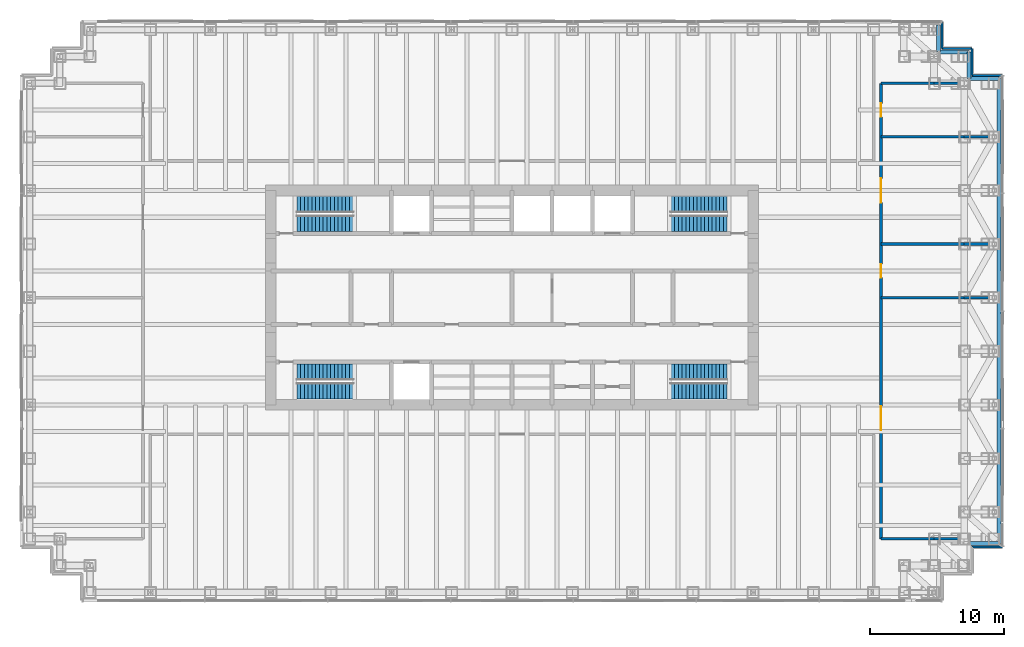
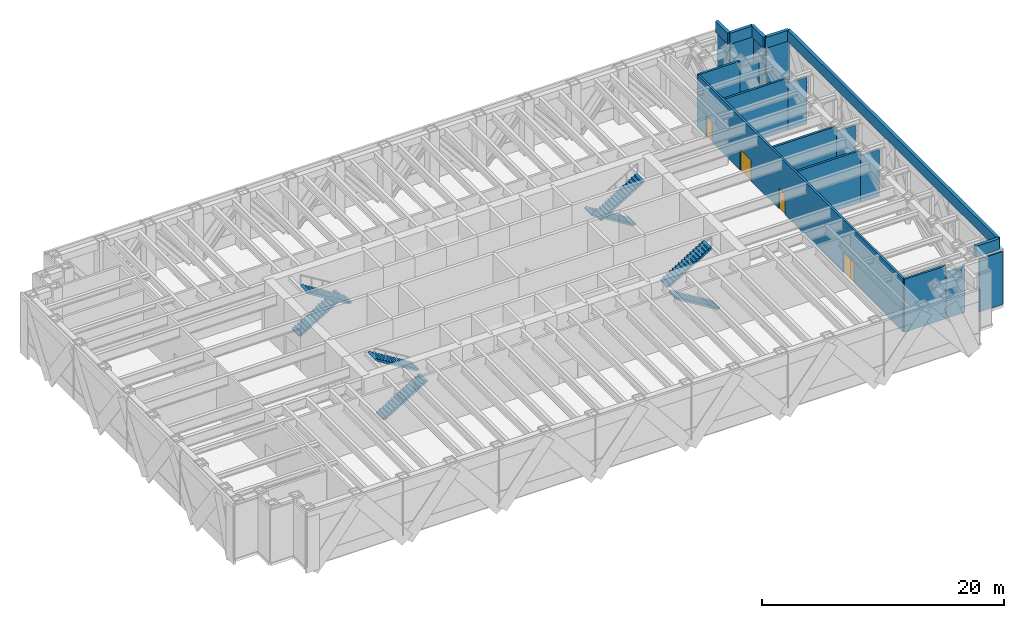
# One storey, part 16 of 17: 22 walls, 8 stair flights, 4 doors, 4 openings, 4 elements without a shape of their own.
"""IFC4 building model written with IfcOpenShell, lengths in metres."""

from ifc_helpers import new_model, si_unit, direction, frame, frame_2d, origin, place, context, subcontext, project, spatial, polyline, rectangle, outline, extrude, material, layer, layer_set, type_object, element, fill, aggregate, save


model = new_model("IFC4")

# Units and contexts
model_context = context("Model", 3, precision=1e-05, world=origin(), true_north=direction((0.0, 1.0)))
body_context = subcontext(model_context, "Body", "Model", "MODEL_VIEW")
ifc_project = project(units=[si_unit("LENGTHUNIT", "METRE"), si_unit("AREAUNIT", "SQUARE_METRE"), si_unit("VOLUMEUNIT", "CUBIC_METRE"), si_unit("PLANEANGLEUNIT", "RADIAN"), si_unit("MASSUNIT", "GRAM", prefix="KILO")], contexts=[model_context])

# Site, building, storey
site_placement = place(None, origin())
site = spatial("IfcSite", under=ifc_project, at=site_placement, CompositionType="ELEMENT")
building_placement = place(site_placement, origin())
building = spatial("IfcBuilding", under=site, at=building_placement, Name="Rheinbord Bourse Tower", CompositionType="ELEMENT")
storey_placement = place(building_placement, frame((0.0, 0.0, 265.60009765625)))
storey = spatial("IfcBuildingStorey", under=building, at=storey_placement, Name="L60", CompositionType="ELEMENT", Elevation=265.60009765625)

# Walls
ifc_material_1 = material(Name="Black metal rainscreen panel", Category="aluminium")
ifc_layer_1 = layer(ifc_material_1, 0.14990234375)
ifc_layer_set_1 = layer_set([ifc_layer_1], Name="CORNER PIER CLADDING 150")
wall_type_1 = type_object("IfcWallType", Name="CORNER PIER CLADDING 150", PredefinedType="ELEMENTEDWALL", material=ifc_layer_set_1)
for number, where, z_axis, x_axis, name in (
    (1, (70.35009765625, 5.39990234375, 0.0), (0.0, 0.0, 1.0), (1.0, 0.0, 0.0), "Corner pier cladding L60 5"),
    (2, (72.60009765625, 40.60009765625, 0.0), (0.0, 0.0, 1.0), (-1.0, 0.0, 0.0), "Corner pier cladding L60 7"),
):
    element("IfcWall", number, at=place(storey_placement, frame(where, z_axis=z_axis, x_axis=x_axis)), inside=storey, type_object=wall_type_1, Name=name, PredefinedType="ELEMENTEDWALL", context=body_context, shape_type="SweptSolid", body=[
        extrude(rectangle(XDim=2.25, YDim=0.14990234375, at=frame_2d((1.125, 0.0))), origin(), (0.0, 0.0, 1.0), 5.33984375),
    ])
wall_1_placement = place(storey_placement, frame((70.35009765625, 40.60009765625, 0.0), z_axis=(0.0, 0.0, 1.0), x_axis=(0.0, 1.0, 0.0)))
element("IfcWall", 3, at=wall_1_placement, inside=storey, type_object=wall_type_1, Name="Corner pier cladding L60 8", PredefinedType="ELEMENTEDWALL", context=body_context, shape_type="SweptSolid", body=[
    extrude(rectangle(XDim=2.0, YDim=0.14990234375, at=frame_2d((1.0, 0.0))), origin(), (0.0, 0.0, 1.0), 5.33984375),
])
wall_2_placement = place(storey_placement, frame((70.35009765625, 42.60009765625, 0.0), z_axis=(0.0, 0.0, 1.0), x_axis=(-1.0, 0.0, 0.0)))
element("IfcWall", 4, at=wall_2_placement, inside=storey, type_object=wall_type_1, Name="Corner pier cladding L60 9", PredefinedType="ELEMENTEDWALL", context=body_context, shape_type="SweptSolid", body=[
    extrude(rectangle(XDim=2.25, YDim=0.14990234375, at=frame_2d((1.125, 0.0))), origin(), (0.0, 0.0, 1.0), 5.33984375),
])
wall_3_placement = place(storey_placement, frame((68.10009765625, 42.60009765625, 0.0), z_axis=(0.0, 0.0, 1.0), x_axis=(0.0, 1.0, 0.0)))
element("IfcWall", 5, at=wall_3_placement, inside=storey, type_object=wall_type_1, Name="Corner pier cladding L60 10", PredefinedType="ELEMENTEDWALL", context=body_context, shape_type="SweptSolid", body=[
    extrude(rectangle(XDim=2.0, YDim=0.14990234375, at=frame_2d((1.0, 0.0))), origin(), (0.0, 0.0, 1.0), 5.33984375),
])
ifc_material_2 = material(Name="Concrete C30/37", Category="concrete")
ifc_layer_2 = layer(ifc_material_2, 0.300048828125)
ifc_layer_set_2 = layer_set([ifc_layer_2], Name="PARAPET 300")
wall_type_2 = type_object("IfcWallType", Name="PARAPET 300", PredefinedType="PARAPET", material=ifc_layer_set_2)
wall_4_placement = place(storey_placement, frame((70.10009765625, 5.64990234375, 5.5), z_axis=(0.0, 0.0, 1.0), x_axis=(1.0, 0.0, 0.0)))
element("IfcWall", 6, at=wall_4_placement, inside=storey, type_object=wall_type_2, Name="Setback parapet L61 4", PredefinedType="PARAPET", context=body_context, shape_type="SweptSolid", body=[
    extrude(rectangle(XDim=2.25, YDim=0.300048828125, at=frame_2d((1.125, 0.0))), origin(), (0.0, 0.0, 1.0), 1.099853515625),
])
wall_5_placement = place(storey_placement, frame((72.35009765625, 5.64990234375, 5.5), z_axis=(0.0, 0.0, 1.0), x_axis=(0.0, 1.0, 0.0)))
element("IfcWall", 7, at=wall_5_placement, inside=storey, type_object=wall_type_2, Name="Setback parapet L61 5", PredefinedType="PARAPET", context=body_context, shape_type="SweptSolid", body=[
    extrude(rectangle(XDim=34.7001953125, YDim=0.300048828125, at=frame_2d((17.35009765625, 0.0))), origin(), (0.0, 0.0, 1.0), 1.099853515625),
])
wall_6_placement = place(storey_placement, frame((72.35009765625, 40.35009765625, 5.5), z_axis=(0.0, 0.0, 1.0), x_axis=(-1.0, 0.0, 0.0)))
element("IfcWall", 8, at=wall_6_placement, inside=storey, type_object=wall_type_2, Name="Setback parapet L61 6", PredefinedType="PARAPET", context=body_context, shape_type="SweptSolid", body=[
    extrude(rectangle(XDim=2.25, YDim=0.300048828125, at=frame_2d((1.125, 0.0))), origin(), (0.0, 0.0, 1.0), 1.099853515625),
])
wall_7_placement = place(storey_placement, frame((70.10009765625, 40.35009765625, 5.5), z_axis=(0.0, 0.0, 1.0), x_axis=(0.0, 1.0, 0.0)))
element("IfcWall", 9, at=wall_7_placement, inside=storey, type_object=wall_type_2, Name="Setback parapet L61 7", PredefinedType="PARAPET", context=body_context, shape_type="SweptSolid", body=[
    extrude(rectangle(XDim=2.0, YDim=0.300048828125, at=frame_2d((1.0, 0.0))), origin(), (0.0, 0.0, 1.0), 1.099853515625),
])
wall_8_placement = place(storey_placement, frame((70.10009765625, 42.35009765625, 5.5), z_axis=(0.0, 0.0, 1.0), x_axis=(-1.0, 0.0, 0.0)))
element("IfcWall", 10, at=wall_8_placement, inside=storey, type_object=wall_type_2, Name="Setback parapet L61 8", PredefinedType="PARAPET", context=body_context, shape_type="SweptSolid", body=[
    extrude(rectangle(XDim=2.25, YDim=0.300048828125, at=frame_2d((1.125, 0.0))), origin(), (0.0, 0.0, 1.0), 1.099853515625),
])
wall_9_placement = place(storey_placement, frame((67.85009765625, 42.35009765625, 5.5), z_axis=(0.0, 0.0, 1.0), x_axis=(0.0, 1.0, 0.0)))
element("IfcWall", 11, at=wall_9_placement, inside=storey, type_object=wall_type_2, Name="Setback parapet L61 9", PredefinedType="PARAPET", context=body_context, shape_type="SweptSolid", body=[
    extrude(rectangle(XDim=2.0, YDim=0.300048828125, at=frame_2d((1.0, 0.0))), origin(), (0.0, 0.0, 1.0), 1.099853515625),
])
ifc_material_3 = material(Name="Concrete block plant room wall", Category="concrete")
ifc_layer_3 = layer(ifc_material_3, 0.199951171875)
ifc_layer_set_3 = layer_set([ifc_layer_3], Name="PLANT ROOM PARTITION 200 EI90")
wall_type_3 = type_object("IfcWallType", Name="PLANT ROOM PARTITION 200 EI90", PredefinedType="PARTITIONING", material=ifc_layer_set_3)
wall_10_placement = place(storey_placement, frame((63.550048828125, 6.0, 0.0), z_axis=(0.0, 0.0, 1.0), x_axis=(1.0, 0.0, 0.0)))
element("IfcWall", 12, at=wall_10_placement, inside=storey, type_object=wall_type_3, Name="Partition L60-02", PredefinedType="PARTITIONING", context=body_context, shape_type="SweptSolid", body=[
    extrude(rectangle(XDim=3.949951171875, YDim=0.199951171875, at=frame_2d((1.97509765625, 0.0))), origin(), (0.0, 0.0, 1.0), 5.33984375),
])
wall_11_placement = place(storey_placement, frame((67.5, 6.0, 0.0), z_axis=(0.0, 0.0, 1.0), x_axis=(1.0, 0.0, 0.0)))
element("IfcWall", 13, at=wall_11_placement, inside=storey, type_object=wall_type_3, Name="Partition L60-02b", PredefinedType="PARTITIONING", context=body_context, shape_type="SweptSolid", body=[
    extrude(rectangle(XDim=1.800048828125, YDim=0.199951171875, at=frame_2d((0.89990234375, 0.0))), origin(), (0.0, 0.0, 1.0), 4.639892578125),
])
wall_12_placement = place(storey_placement, frame((63.550048828125, 24.0, 0.0), z_axis=(0.0, 0.0, 1.0), x_axis=(1.0, 0.0, 0.0)))
element("IfcWall", 14, at=wall_12_placement, inside=storey, type_object=wall_type_3, Name="Partition L60-05", PredefinedType="PARTITIONING", context=body_context, shape_type="SweptSolid", body=[
    extrude(rectangle(XDim=6.199951171875, YDim=0.199951171875, at=frame_2d((3.10009765625, 0.0))), origin(), (0.0, 0.0, 1.0), 5.25),
])
wall_13_placement = place(storey_placement, frame((69.75, 24.0, 0.0), z_axis=(0.0, 0.0, 1.0), x_axis=(1.0, 0.0, 0.0)))
element("IfcWall", 15, at=wall_13_placement, inside=storey, type_object=wall_type_3, Name="Partition L60-05b", PredefinedType="PARTITIONING", context=body_context, shape_type="SweptSolid", body=[
    extrude(rectangle(XDim=1.800048828125, YDim=0.199951171875, at=frame_2d((0.89990234375, 0.0))), origin(), (0.0, 0.0, 1.0), 4.725830078125),
])
wall_14_placement = place(storey_placement, frame((63.550048828125, 28.0, 0.0), z_axis=(0.0, 0.0, 1.0), x_axis=(1.0, 0.0, 0.0)))
element("IfcWall", 16, at=wall_14_placement, inside=storey, type_object=wall_type_3, Name="Partition L60-06", PredefinedType="PARTITIONING", context=body_context, shape_type="SweptSolid", body=[
    extrude(rectangle(XDim=6.199951171875, YDim=0.199951171875, at=frame_2d((3.10009765625, 0.0))), origin(), (0.0, 0.0, 1.0), 5.25),
])
wall_15_placement = place(storey_placement, frame((69.75, 28.0, 0.0), z_axis=(0.0, 0.0, 1.0), x_axis=(1.0, 0.0, 0.0)))
element("IfcWall", 17, at=wall_15_placement, inside=storey, type_object=wall_type_3, Name="Partition L60-06b", PredefinedType="PARTITIONING", context=body_context, shape_type="SweptSolid", body=[
    extrude(rectangle(XDim=1.800048828125, YDim=0.199951171875, at=frame_2d((0.89990234375, 0.0))), origin(), (0.0, 0.0, 1.0), 4.725830078125),
])
wall_16_placement = place(storey_placement, frame((63.550048828125, 36.0, 0.0), z_axis=(0.0, 0.0, 1.0), x_axis=(1.0, 0.0, 0.0)))
element("IfcWall", 18, at=wall_16_placement, inside=storey, type_object=wall_type_3, Name="Partition L60-09", PredefinedType="PARTITIONING", context=body_context, shape_type="SweptSolid", body=[
    extrude(rectangle(XDim=6.199951171875, YDim=0.199951171875, at=frame_2d((3.10009765625, 0.0))), origin(), (0.0, 0.0, 1.0), 5.25),
])
wall_17_placement = place(storey_placement, frame((69.75, 36.0, 0.0), z_axis=(0.0, 0.0, 1.0), x_axis=(1.0, 0.0, 0.0)))
element("IfcWall", 19, at=wall_17_placement, inside=storey, type_object=wall_type_3, Name="Partition L60-09b", PredefinedType="PARTITIONING", context=body_context, shape_type="SweptSolid", body=[
    extrude(rectangle(XDim=1.800048828125, YDim=0.199951171875, at=frame_2d((0.89990234375, 0.0))), origin(), (0.0, 0.0, 1.0), 4.725830078125),
])
wall_18_placement = place(storey_placement, frame((63.550048828125, 40.0, 0.0), z_axis=(0.0, 0.0, 1.0), x_axis=(1.0, 0.0, 0.0)))
element("IfcWall", 20, at=wall_18_placement, inside=storey, type_object=wall_type_3, Name="Partition L60-11", PredefinedType="PARTITIONING", context=body_context, shape_type="SweptSolid", body=[
    extrude(rectangle(XDim=3.949951171875, YDim=0.199951171875, at=frame_2d((1.97509765625, 0.0))), origin(), (0.0, 0.0, 1.0), 5.33984375),
])
wall_19_placement = place(storey_placement, frame((67.5, 40.0, 0.0), z_axis=(0.0, 0.0, 1.0), x_axis=(1.0, 0.0, 0.0)))
element("IfcWall", 21, at=wall_19_placement, inside=storey, type_object=wall_type_3, Name="Partition L60-11b", PredefinedType="PARTITIONING", context=body_context, shape_type="SweptSolid", body=[
    extrude(rectangle(XDim=1.800048828125, YDim=0.199951171875, at=frame_2d((0.89990234375, 0.0))), origin(), (0.0, 0.0, 1.0), 4.639892578125),
])

# Wall, openings, doors
wall_20_placement = place(storey_placement, frame((63.550048828125, 6.0, 0.0), z_axis=(0.0, 0.0, 1.0), x_axis=(0.0, 1.0, 0.0)))
wall_20 = element("IfcWall", 22, at=wall_20_placement, inside=storey, type_object=wall_type_3, Name="Partition L60-17", PredefinedType="PARTITIONING", context=body_context, shape_type="SweptSolid", body=[
    extrude(rectangle(XDim=34.0, YDim=0.199951171875, at=frame_2d((17.0, 0.0))), origin(), (0.0, 0.0, 1.0), 5.33984375),
])
opening_1_placement = place(wall_20_placement, frame((8.10009765625, 0.0, 0.0)))
opening_1 = element("IfcOpeningElement", 23, at=opening_1_placement, cuts=wall_20, Name="Opening 60P02", PredefinedType="OPENING", context=body_context, shape_type="SweptSolid", body=[
    extrude(rectangle(XDim=1.800048828125, YDim=2.10009765625, at=frame_2d((0.89990234375, 1.050048828125))), frame((0.0, 0.10986328125, 0.0), z_axis=(0.0, -1.0, 0.0), x_axis=(1.0, 0.0, 0.0)), (0.0, 0.0, 1.0), 0.219970703125),
])
opening_2_placement = place(wall_20_placement, frame((19.5, 0.0, 0.0)))
opening_2 = element("IfcOpeningElement", 24, at=opening_2_placement, cuts=wall_20, Name="Opening 60P04", PredefinedType="OPENING", context=body_context, shape_type="SweptSolid", body=[
    extrude(rectangle(XDim=1.0, YDim=2.10009765625, at=frame_2d((0.5, 1.050048828125))), frame((0.0, 0.10986328125, 0.0), z_axis=(0.0, -1.0, 0.0), x_axis=(1.0, 0.0, 0.0)), (0.0, 0.0, 1.0), 0.219970703125),
])
opening_3_placement = place(wall_20_placement, frame((25.10009765625, 0.0, 0.0)))
opening_3 = element("IfcOpeningElement", 25, at=opening_3_placement, cuts=wall_20, Name="Opening 60P06", PredefinedType="OPENING", context=body_context, shape_type="SweptSolid", body=[
    extrude(rectangle(XDim=1.800048828125, YDim=2.10009765625, at=frame_2d((0.89990234375, 1.050048828125))), frame((0.0, 0.10986328125, 0.0), z_axis=(0.0, -1.0, 0.0), x_axis=(1.0, 0.0, 0.0)), (0.0, 0.0, 1.0), 0.219970703125),
])
opening_4_placement = place(wall_20_placement, frame((31.5, 0.0, 0.0)))
opening_4 = element("IfcOpeningElement", 26, at=opening_4_placement, cuts=wall_20, Name="Opening 60P07", PredefinedType="OPENING", context=body_context, shape_type="SweptSolid", body=[
    extrude(rectangle(XDim=1.0, YDim=2.10009765625, at=frame_2d((0.5, 1.050048828125))), frame((0.0, 0.10986328125, 0.0), z_axis=(0.0, -1.0, 0.0), x_axis=(1.0, 0.0, 0.0)), (0.0, 0.0, 1.0), 0.219970703125),
])
ifc_material_4 = material(Name="Steel fire door", Category="steel")
door_type_1 = type_object("IfcDoorType", Name="PLANT ROOM DOOR 1000 EI60", OperationType="SINGLE_SWING_LEFT", PredefinedType="DOOR", material=ifc_material_4)
door_1_placement = place(opening_2_placement, origin())
door_1 = element("IfcDoor", 27, at=door_1_placement, inside=storey, type_object=door_type_1, Name="LV switch room door L60", OperationType="SINGLE_SWING_RIGHT", OverallHeight=2.10009765625, OverallWidth=1.0, PredefinedType="DOOR", context=body_context, shape_type="SweptSolid", body=[
    extrude(rectangle(XDim=1.0, YDim=2.10009765625, at=frame_2d((0.5, 1.050048828125))), frame((0.0, 0.02490234375, 0.0), z_axis=(0.0, -1.0, 0.0), x_axis=(1.0, 0.0, 0.0)), (0.0, 0.0, 1.0), 0.050048828125),
])
fill(opening_2, door_1)
door_2_placement = place(opening_4_placement, origin())
door_2 = element("IfcDoor", 28, at=door_2_placement, inside=storey, type_object=door_type_1, Name="Heat exchanger room door L60", OperationType="SINGLE_SWING_RIGHT", OverallHeight=2.10009765625, OverallWidth=1.0, PredefinedType="DOOR", context=body_context, shape_type="SweptSolid", body=[
    extrude(rectangle(XDim=1.0, YDim=2.10009765625, at=frame_2d((0.5, 1.050048828125))), frame((0.0, 0.02490234375, 0.0), z_axis=(0.0, -1.0, 0.0), x_axis=(1.0, 0.0, 0.0)), (0.0, 0.0, 1.0), 0.050048828125),
])
fill(opening_4, door_2)
ifc_material_5 = material(Name="Steel fire door", Category="steel")
door_type_2 = type_object("IfcDoorType", Name="PLANT ROOM DOUBLE DOOR 1800 EI60", OperationType="DOUBLE_DOOR_DOUBLE_SWING", PredefinedType="DOOR", material=ifc_material_5)
door_3_placement = place(opening_1_placement, origin())
door_3 = element("IfcDoor", 29, at=door_3_placement, inside=storey, type_object=door_type_2, Name="Air handling plant room door L60", OperationType="SINGLE_SWING_LEFT", OverallHeight=2.10009765625, OverallWidth=1.800048828125, PredefinedType="DOOR", context=body_context, shape_type="SweptSolid", body=[
    extrude(rectangle(XDim=1.800048828125, YDim=2.10009765625, at=frame_2d((0.89990234375, 1.050048828125))), frame((0.0, 0.02490234375, 0.0), z_axis=(0.0, -1.0, 0.0), x_axis=(1.0, 0.0, 0.0)), (0.0, 0.0, 1.0), 0.050048828125),
])
fill(opening_1, door_3)
door_4_placement = place(opening_3_placement, origin())
door_4 = element("IfcDoor", 30, at=door_4_placement, inside=storey, type_object=door_type_2, Name="Transformer room door L60", OperationType="SINGLE_SWING_LEFT", OverallHeight=2.10009765625, OverallWidth=1.800048828125, PredefinedType="DOOR", context=body_context, shape_type="SweptSolid", body=[
    extrude(rectangle(XDim=1.800048828125, YDim=2.10009765625, at=frame_2d((0.89990234375, 1.050048828125))), frame((0.0, 0.02490234375, 0.0), z_axis=(0.0, -1.0, 0.0), x_axis=(1.0, 0.0, 0.0)), (0.0, 0.0, 1.0), 0.050048828125),
])
fill(opening_3, door_4)

# Stair, stair flights
ifc_material_6 = material(Name="Concrete C30/37", Category="concrete")
stair_type = type_object("IfcStairType", Name="CORE STAIR HALF TURN 5500", PredefinedType="HALF_TURN_STAIR", material=ifc_material_6)
stair_1_placement = place(storey_placement, origin())
stair_1 = element("IfcStair", 31, at=stair_1_placement, inside=storey, type_object=stair_type, Name="Stair ST1 L60, type CS5", PredefinedType="HALF_TURN_STAIR")
ifc_material_7 = material(Name="Concrete C30/37", Category="concrete")
stair_flight_type = type_object("IfcStairFlightType", Name="CORE STAIR FLIGHT 1200, 16 RISERS", PredefinedType="STRAIGHT", material=ifc_material_7)
stair_flight_1_placement = place(storey_placement, frame((19.949951171875, 17.050048828125, 0.0), z_axis=(0.0, 0.0, 1.0), x_axis=(1.0, 0.0, 0.0)))
stair_flight_1 = element("IfcStairFlight", 32, at=stair_flight_1_placement, type_object=stair_flight_type, Name="STAIR L60 ST1 F1", NumberOfRisers=16, NumberOfTreads=15, PredefinedType="STRAIGHT", RiserHeight=0.171875, TreadLength=0.28, context=body_context, shape_type="SweptSolid", body=[
    extrude(outline(polyline([(0.0, 0.0), (0.0, 0.171875), (0.280029296875, 0.171875), (0.280029296875, 0.34375), (0.56005859375, 0.34375), (0.56005859375, 0.515625), (0.840087890625, 0.515625), (0.840087890625, 0.6875), (1.1201171875, 0.6875), (1.1201171875, 0.859375), (1.39990234375, 0.859375), (1.39990234375, 1.03125), (1.679931640625, 1.03125), (1.679931640625, 1.203125), (1.9599609375, 1.203125), (1.9599609375, 1.375), (2.239990234375, 1.375), (2.239990234375, 1.546875), (2.52001953125, 1.546875), (2.52001953125, 1.71875), (2.800048828125, 1.71875), (2.800048828125, 1.890625), (3.080078125, 1.890625), (3.080078125, 2.0625), (3.360107421875, 2.0625), (3.360107421875, 2.234375), (3.639892578125, 2.234375), (3.639892578125, 2.40625), (3.919921875, 2.40625), (3.919921875, 2.578125), (4.199951171875, 2.578125), (4.199951171875, 2.75), (4.199951171875, 2.40234375), (0.28662109375, 0.0), (0.0, 0.0)])), frame((0.0, 0.60009765625, 0.0), z_axis=(0.0, -1.0, 0.0), x_axis=(1.0, 0.0, 0.0)), (0.0, 0.0, 1.0), 1.199951171875),
])
stair_flight_2_placement = place(storey_placement, frame((24.14990234375, 18.449951171875, 2.75), z_axis=(0.0, 0.0, 1.0), x_axis=(-1.0, 0.0, 0.0)))
stair_flight_2 = element("IfcStairFlight", 33, at=stair_flight_2_placement, type_object=stair_flight_type, Name="STAIR L60 ST1 F2", NumberOfRisers=16, NumberOfTreads=15, PredefinedType="STRAIGHT", RiserHeight=0.171875, TreadLength=0.28, context=body_context, shape_type="SweptSolid", body=[
    extrude(outline(polyline([(0.0, 0.0), (0.0, 0.171875), (0.280029296875, 0.171875), (0.280029296875, 0.34375), (0.56005859375, 0.34375), (0.56005859375, 0.515625), (0.840087890625, 0.515625), (0.840087890625, 0.6875), (1.1201171875, 0.6875), (1.1201171875, 0.859375), (1.39990234375, 0.859375), (1.39990234375, 1.03125), (1.679931640625, 1.03125), (1.679931640625, 1.203125), (1.9599609375, 1.203125), (1.9599609375, 1.375), (2.239990234375, 1.375), (2.239990234375, 1.546875), (2.52001953125, 1.546875), (2.52001953125, 1.71875), (2.800048828125, 1.71875), (2.800048828125, 1.890625), (3.080078125, 1.890625), (3.080078125, 2.0625), (3.360107421875, 2.0625), (3.360107421875, 2.234375), (3.639892578125, 2.234375), (3.639892578125, 2.40625), (3.919921875, 2.40625), (3.919921875, 2.578125), (4.199951171875, 2.578125), (4.199951171875, 2.75), (4.199951171875, 2.40234375), (0.28662109375, 0.0), (0.0, 0.0)])), frame((0.0, 0.60009765625, 0.0), z_axis=(0.0, -1.0, 0.0), x_axis=(1.0, 0.0, 0.0)), (0.0, 0.0, 1.0), 1.199951171875),
])
aggregate(stair_1, [stair_flight_1, stair_flight_2])

stair_2_placement = place(storey_placement, origin())
stair_2 = element("IfcStair", 34, at=stair_2_placement, inside=storey, type_object=stair_type, Name="Stair ST2 L60, type CS5", PredefinedType="HALF_TURN_STAIR")
stair_flight_3_placement = place(storey_placement, frame((19.949951171875, 30.949951171875, 0.0), z_axis=(0.0, 0.0, 1.0), x_axis=(1.0, 0.0, 0.0)))
stair_flight_3 = element("IfcStairFlight", 35, at=stair_flight_3_placement, type_object=stair_flight_type, Name="STAIR L60 ST2 F1", NumberOfRisers=16, NumberOfTreads=15, PredefinedType="STRAIGHT", RiserHeight=0.171875, TreadLength=0.28, context=body_context, shape_type="SweptSolid", body=[
    extrude(outline(polyline([(0.0, 0.0), (0.0, 0.171875), (0.280029296875, 0.171875), (0.280029296875, 0.34375), (0.56005859375, 0.34375), (0.56005859375, 0.515625), (0.840087890625, 0.515625), (0.840087890625, 0.6875), (1.1201171875, 0.6875), (1.1201171875, 0.859375), (1.39990234375, 0.859375), (1.39990234375, 1.03125), (1.679931640625, 1.03125), (1.679931640625, 1.203125), (1.9599609375, 1.203125), (1.9599609375, 1.375), (2.239990234375, 1.375), (2.239990234375, 1.546875), (2.52001953125, 1.546875), (2.52001953125, 1.71875), (2.800048828125, 1.71875), (2.800048828125, 1.890625), (3.080078125, 1.890625), (3.080078125, 2.0625), (3.360107421875, 2.0625), (3.360107421875, 2.234375), (3.639892578125, 2.234375), (3.639892578125, 2.40625), (3.919921875, 2.40625), (3.919921875, 2.578125), (4.199951171875, 2.578125), (4.199951171875, 2.75), (4.199951171875, 2.40234375), (0.28662109375, 0.0), (0.0, 0.0)])), frame((0.0, 0.60009765625, 0.0), z_axis=(0.0, -1.0, 0.0), x_axis=(1.0, 0.0, 0.0)), (0.0, 0.0, 1.0), 1.199951171875),
])
stair_flight_4_placement = place(storey_placement, frame((24.14990234375, 29.550048828125, 2.75), z_axis=(0.0, 0.0, 1.0), x_axis=(-1.0, 0.0, 0.0)))
stair_flight_4 = element("IfcStairFlight", 36, at=stair_flight_4_placement, type_object=stair_flight_type, Name="STAIR L60 ST2 F2", NumberOfRisers=16, NumberOfTreads=15, PredefinedType="STRAIGHT", RiserHeight=0.171875, TreadLength=0.28, context=body_context, shape_type="SweptSolid", body=[
    extrude(outline(polyline([(0.0, 0.0), (0.0, 0.171875), (0.280029296875, 0.171875), (0.280029296875, 0.34375), (0.56005859375, 0.34375), (0.56005859375, 0.515625), (0.840087890625, 0.515625), (0.840087890625, 0.6875), (1.1201171875, 0.6875), (1.1201171875, 0.859375), (1.39990234375, 0.859375), (1.39990234375, 1.03125), (1.679931640625, 1.03125), (1.679931640625, 1.203125), (1.9599609375, 1.203125), (1.9599609375, 1.375), (2.239990234375, 1.375), (2.239990234375, 1.546875), (2.52001953125, 1.546875), (2.52001953125, 1.71875), (2.800048828125, 1.71875), (2.800048828125, 1.890625), (3.080078125, 1.890625), (3.080078125, 2.0625), (3.360107421875, 2.0625), (3.360107421875, 2.234375), (3.639892578125, 2.234375), (3.639892578125, 2.40625), (3.919921875, 2.40625), (3.919921875, 2.578125), (4.199951171875, 2.578125), (4.199951171875, 2.75), (4.199951171875, 2.40234375), (0.28662109375, 0.0), (0.0, 0.0)])), frame((0.0, 0.60009765625, 0.0), z_axis=(0.0, -1.0, 0.0), x_axis=(1.0, 0.0, 0.0)), (0.0, 0.0, 1.0), 1.199951171875),
])
aggregate(stair_2, [stair_flight_3, stair_flight_4])

stair_3_placement = place(storey_placement, origin())
stair_3 = element("IfcStair", 37, at=stair_3_placement, inside=storey, type_object=stair_type, Name="Stair ST3 L60, type CS5", PredefinedType="HALF_TURN_STAIR")
stair_flight_5_placement = place(storey_placement, frame((52.050048828125, 17.050048828125, 0.0), z_axis=(0.0, 0.0, 1.0), x_axis=(-1.0, 0.0, 0.0)))
stair_flight_5 = element("IfcStairFlight", 38, at=stair_flight_5_placement, type_object=stair_flight_type, Name="STAIR L60 ST3 F1", NumberOfRisers=16, NumberOfTreads=15, PredefinedType="STRAIGHT", RiserHeight=0.171875, TreadLength=0.28, context=body_context, shape_type="SweptSolid", body=[
    extrude(outline(polyline([(0.0, 0.0), (0.0, 0.171875), (0.280029296875, 0.171875), (0.280029296875, 0.34375), (0.56005859375, 0.34375), (0.56005859375, 0.515625), (0.840087890625, 0.515625), (0.840087890625, 0.6875), (1.1201171875, 0.6875), (1.1201171875, 0.859375), (1.39990234375, 0.859375), (1.39990234375, 1.03125), (1.679931640625, 1.03125), (1.679931640625, 1.203125), (1.9599609375, 1.203125), (1.9599609375, 1.375), (2.239990234375, 1.375), (2.239990234375, 1.546875), (2.52001953125, 1.546875), (2.52001953125, 1.71875), (2.800048828125, 1.71875), (2.800048828125, 1.890625), (3.080078125, 1.890625), (3.080078125, 2.0625), (3.360107421875, 2.0625), (3.360107421875, 2.234375), (3.639892578125, 2.234375), (3.639892578125, 2.40625), (3.919921875, 2.40625), (3.919921875, 2.578125), (4.199951171875, 2.578125), (4.199951171875, 2.75), (4.199951171875, 2.40234375), (0.28662109375, 0.0), (0.0, 0.0)])), frame((0.0, 0.60009765625, 0.0), z_axis=(0.0, -1.0, 0.0), x_axis=(1.0, 0.0, 0.0)), (0.0, 0.0, 1.0), 1.199951171875),
])
stair_flight_6_placement = place(storey_placement, frame((47.85009765625, 18.449951171875, 2.75), z_axis=(0.0, 0.0, 1.0), x_axis=(1.0, 0.0, 0.0)))
stair_flight_6 = element("IfcStairFlight", 39, at=stair_flight_6_placement, type_object=stair_flight_type, Name="STAIR L60 ST3 F2", NumberOfRisers=16, NumberOfTreads=15, PredefinedType="STRAIGHT", RiserHeight=0.171875, TreadLength=0.28, context=body_context, shape_type="SweptSolid", body=[
    extrude(outline(polyline([(0.0, 0.0), (0.0, 0.171875), (0.280029296875, 0.171875), (0.280029296875, 0.34375), (0.56005859375, 0.34375), (0.56005859375, 0.515625), (0.840087890625, 0.515625), (0.840087890625, 0.6875), (1.1201171875, 0.6875), (1.1201171875, 0.859375), (1.39990234375, 0.859375), (1.39990234375, 1.03125), (1.679931640625, 1.03125), (1.679931640625, 1.203125), (1.9599609375, 1.203125), (1.9599609375, 1.375), (2.239990234375, 1.375), (2.239990234375, 1.546875), (2.52001953125, 1.546875), (2.52001953125, 1.71875), (2.800048828125, 1.71875), (2.800048828125, 1.890625), (3.080078125, 1.890625), (3.080078125, 2.0625), (3.360107421875, 2.0625), (3.360107421875, 2.234375), (3.639892578125, 2.234375), (3.639892578125, 2.40625), (3.919921875, 2.40625), (3.919921875, 2.578125), (4.199951171875, 2.578125), (4.199951171875, 2.75), (4.199951171875, 2.40234375), (0.28662109375, 0.0), (0.0, 0.0)])), frame((0.0, 0.60009765625, 0.0), z_axis=(0.0, -1.0, 0.0), x_axis=(1.0, 0.0, 0.0)), (0.0, 0.0, 1.0), 1.199951171875),
])
aggregate(stair_3, [stair_flight_5, stair_flight_6])

stair_4_placement = place(storey_placement, origin())
stair_4 = element("IfcStair", 40, at=stair_4_placement, inside=storey, type_object=stair_type, Name="Stair ST4 L60, type CS5", PredefinedType="HALF_TURN_STAIR")
stair_flight_7_placement = place(storey_placement, frame((52.050048828125, 30.949951171875, 0.0), z_axis=(0.0, 0.0, 1.0), x_axis=(-1.0, 0.0, 0.0)))
stair_flight_7 = element("IfcStairFlight", 41, at=stair_flight_7_placement, type_object=stair_flight_type, Name="STAIR L60 ST4 F1", NumberOfRisers=16, NumberOfTreads=15, PredefinedType="STRAIGHT", RiserHeight=0.171875, TreadLength=0.28, context=body_context, shape_type="SweptSolid", body=[
    extrude(outline(polyline([(0.0, 0.0), (0.0, 0.171875), (0.280029296875, 0.171875), (0.280029296875, 0.34375), (0.56005859375, 0.34375), (0.56005859375, 0.515625), (0.840087890625, 0.515625), (0.840087890625, 0.6875), (1.1201171875, 0.6875), (1.1201171875, 0.859375), (1.39990234375, 0.859375), (1.39990234375, 1.03125), (1.679931640625, 1.03125), (1.679931640625, 1.203125), (1.9599609375, 1.203125), (1.9599609375, 1.375), (2.239990234375, 1.375), (2.239990234375, 1.546875), (2.52001953125, 1.546875), (2.52001953125, 1.71875), (2.800048828125, 1.71875), (2.800048828125, 1.890625), (3.080078125, 1.890625), (3.080078125, 2.0625), (3.360107421875, 2.0625), (3.360107421875, 2.234375), (3.639892578125, 2.234375), (3.639892578125, 2.40625), (3.919921875, 2.40625), (3.919921875, 2.578125), (4.199951171875, 2.578125), (4.199951171875, 2.75), (4.199951171875, 2.40234375), (0.28662109375, 0.0), (0.0, 0.0)])), frame((0.0, 0.60009765625, 0.0), z_axis=(0.0, -1.0, 0.0), x_axis=(1.0, 0.0, 0.0)), (0.0, 0.0, 1.0), 1.199951171875),
])
stair_flight_8_placement = place(storey_placement, frame((47.85009765625, 29.550048828125, 2.75), z_axis=(0.0, 0.0, 1.0), x_axis=(1.0, 0.0, 0.0)))
stair_flight_8 = element("IfcStairFlight", 42, at=stair_flight_8_placement, type_object=stair_flight_type, Name="STAIR L60 ST4 F2", NumberOfRisers=16, NumberOfTreads=15, PredefinedType="STRAIGHT", RiserHeight=0.171875, TreadLength=0.28, context=body_context, shape_type="SweptSolid", body=[
    extrude(outline(polyline([(0.0, 0.0), (0.0, 0.171875), (0.280029296875, 0.171875), (0.280029296875, 0.34375), (0.56005859375, 0.34375), (0.56005859375, 0.515625), (0.840087890625, 0.515625), (0.840087890625, 0.6875), (1.1201171875, 0.6875), (1.1201171875, 0.859375), (1.39990234375, 0.859375), (1.39990234375, 1.03125), (1.679931640625, 1.03125), (1.679931640625, 1.203125), (1.9599609375, 1.203125), (1.9599609375, 1.375), (2.239990234375, 1.375), (2.239990234375, 1.546875), (2.52001953125, 1.546875), (2.52001953125, 1.71875), (2.800048828125, 1.71875), (2.800048828125, 1.890625), (3.080078125, 1.890625), (3.080078125, 2.0625), (3.360107421875, 2.0625), (3.360107421875, 2.234375), (3.639892578125, 2.234375), (3.639892578125, 2.40625), (3.919921875, 2.40625), (3.919921875, 2.578125), (4.199951171875, 2.578125), (4.199951171875, 2.75), (4.199951171875, 2.40234375), (0.28662109375, 0.0), (0.0, 0.0)])), frame((0.0, 0.60009765625, 0.0), z_axis=(0.0, -1.0, 0.0), x_axis=(1.0, 0.0, 0.0)), (0.0, 0.0, 1.0), 1.199951171875),
])
aggregate(stair_4, [stair_flight_7, stair_flight_8])

save(model, "model.ifc")
